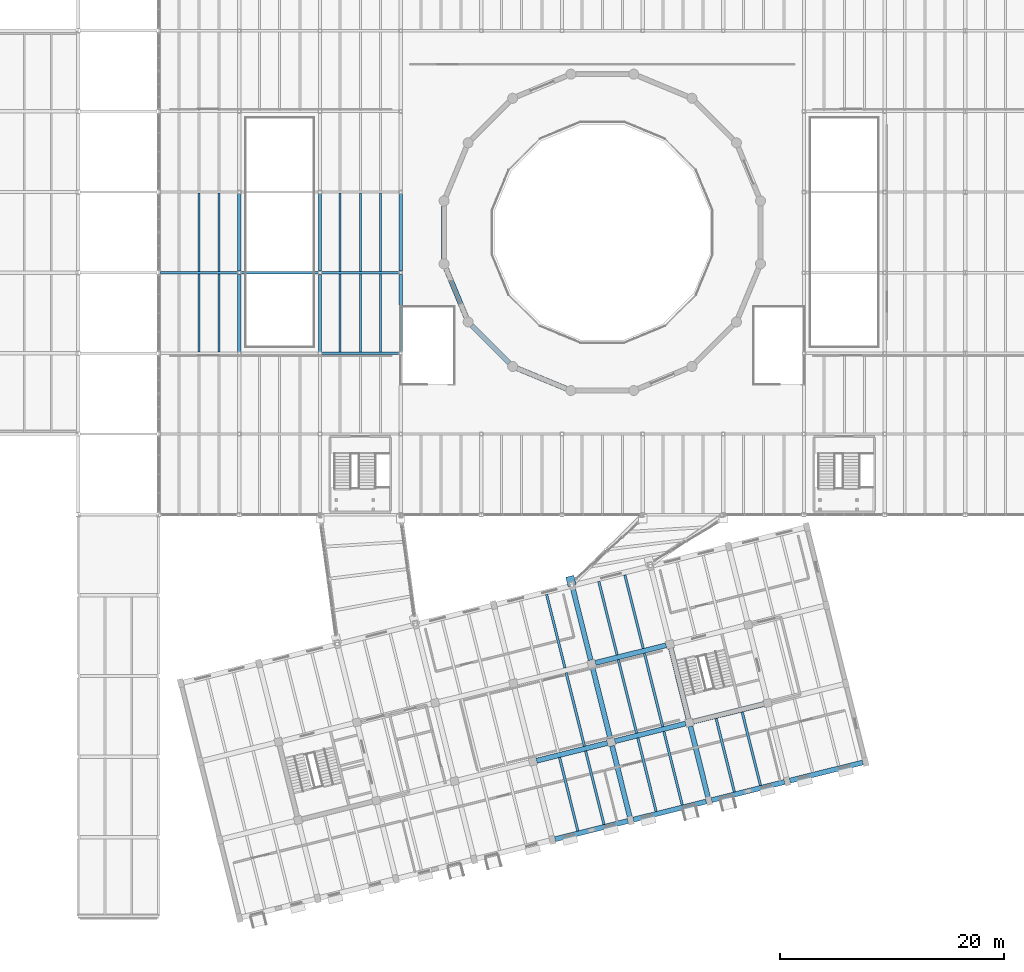
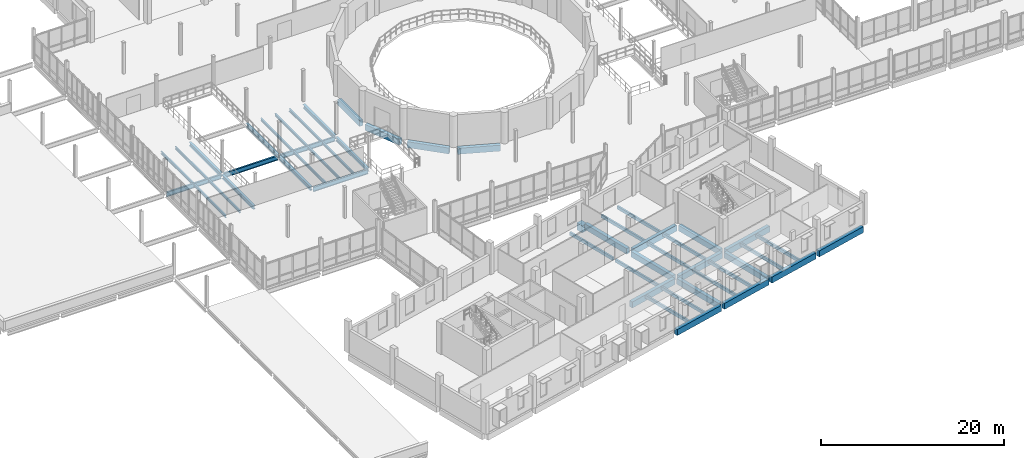
# One storey, part 22 of 72: 50 beams.
"""IFC4 building model written with IfcOpenShell, lengths in metres."""

from ifc_helpers import new_model, si_unit, direction, frame, origin, origin_2d, place, context, subcontext, project, spatial, rectangle, i_section, extrude, material, material_profile, profile_set, type_object, element, save


model = new_model("IFC4")

# Units and contexts
model_context = context("Model", 3, precision=1e-05, world=origin(), true_north=direction((0.0, 1.0)))
body_context = subcontext(model_context, "Body", "Model", "MODEL_VIEW")
ifc_project = project(units=[si_unit("LENGTHUNIT", "METRE"), si_unit("AREAUNIT", "SQUARE_METRE"), si_unit("VOLUMEUNIT", "CUBIC_METRE"), si_unit("PLANEANGLEUNIT", "RADIAN"), si_unit("MASSUNIT", "GRAM", prefix="KILO")], contexts=[model_context])

# Site, building, storey
site_placement = place(None, origin())
site = spatial("IfcSite", under=ifc_project, at=site_placement, CompositionType="ELEMENT")
building_placement = place(site_placement, origin())
building = spatial("IfcBuilding", under=site, at=building_placement, Name="Qiaolan Assembly House", CompositionType="ELEMENT")
storey_placement = place(building_placement, frame((0.0, 0.0, 10.199951171875)))
storey = spatial("IfcBuildingStorey", under=building, at=storey_placement, Name="L02", CompositionType="ELEMENT", Elevation=10.199951171875)

# Beams
ifc_material_1 = material(Name="Concrete C50/60", Category="concrete")
ifc_material_profile_1 = material_profile(ifc_material_1, rectangle(XDim=0.75, YDim=0.949951171875, at=origin_2d()), Name="RCB 750x950")
ifc_profile_set_1 = profile_set([ifc_material_profile_1], Name="Concrete C50/60")
beam_type_1 = type_object("IfcBeamType", Name="BM-CORBEL-750x950", PredefinedType="SPANDREL", material=ifc_profile_set_1)
beam_1_placement = place(storey_placement, frame((65.705078125, 29.66748046875, -1.051025390625), z_axis=(-0.241792305191, 0.970328027602, 0.0), x_axis=(-0.970328027602, -0.241792305191, 0.0)))
element("IfcBeam", 1, at=beam_1_placement, inside=storey, type_object=beam_type_1, Name="CB-01 movement-joint RC corbel EB L02 SE", PredefinedType="SPANDREL", context=body_context, shape_type="SweptSolid", body=[
    extrude(rectangle(XDim=0.75, YDim=0.949951171875, at=origin_2d()), origin(), (0.0, 0.0, 1.0), 0.85009765625),
])
ifc_material_2 = material(Name="Concrete C40/50", Category="concrete")
ifc_material_profile_2 = material_profile(ifc_material_2, rectangle(XDim=0.449951171875, YDim=0.75, at=origin_2d()), Name="RCB 450x750")
ifc_profile_set_2 = profile_set([ifc_material_profile_2], Name="Concrete C40/50")
beam_type_2 = type_object("IfcBeamType", Name="BM-RC-450x750", PredefinedType="BEAM", material=ifc_profile_set_2)
beam_2_placement = place(storey_placement, frame((70.87255859375, 8.942138671875, -0.625), z_axis=(-0.241928153868, 0.970294165893, 0.0), x_axis=(-0.970294165893, -0.241928153868, 0.0)))
element("IfcBeam", 2, at=beam_2_placement, inside=storey, type_object=beam_type_2, Name="GB-04 beam BMV-SE-L02-05-00", PredefinedType="BEAM", context=body_context, shape_type="SweptSolid", body=[
    extrude(rectangle(XDim=0.449951171875, YDim=0.75, at=origin_2d()), origin(), (0.0, 0.0, 1.0), 6.619873046875),
])
beam_3_placement = place(storey_placement, frame((69.1064453125, 16.025146484375, -0.625), z_axis=(-0.241892404898, 0.970303078658, 0.0), x_axis=(-0.970303078658, -0.241892404898, 0.0)))
element("IfcBeam", 3, at=beam_3_placement, inside=storey, type_object=beam_type_2, Name="GB-04 beam BMV-SE-L02-05-01", PredefinedType="BEAM", context=body_context, shape_type="SweptSolid", body=[
    extrude(rectangle(XDim=0.449951171875, YDim=0.75, at=origin_2d()), origin(), (0.0, 0.0, 1.0), 6.52001953125),
])
beam_4_placement = place(storey_placement, frame((67.36474609375, 23.01123046875, -0.625), z_axis=(-0.241919497068, 0.970296324294, 0.0), x_axis=(-0.970296324294, -0.241919497068, 0.0)))
element("IfcBeam", 4, at=beam_4_placement, inside=storey, type_object=beam_type_2, Name="GB-04 beam BMV-SE-L02-05-02", PredefinedType="BEAM", context=body_context, shape_type="SweptSolid", body=[
    extrude(rectangle(XDim=0.449951171875, YDim=0.75, at=origin_2d()), origin(), (0.0, 0.0, 1.0), 6.6201171875),
])
beam_5_placement = place(storey_placement, frame((77.858642578125, 10.683837890625, -0.625), z_axis=(-0.241928153868, 0.970294165893, 0.0), x_axis=(-0.970294165893, -0.241928153868, 0.0)))
element("IfcBeam", 5, at=beam_5_placement, inside=storey, type_object=beam_type_2, Name="GB-04 beam BMV-SE-L02-06-00", PredefinedType="BEAM", context=body_context, shape_type="SweptSolid", body=[
    extrude(rectangle(XDim=0.449951171875, YDim=0.75, at=origin_2d()), origin(), (0.0, 0.0, 1.0), 6.619873046875),
])
beam_6_placement = place(storey_placement, frame((76.0927734375, 17.76708984375, -0.625), z_axis=(-0.241936448129, 0.970292097807, 0.0), x_axis=(-0.970292097807, -0.241936448129, 0.0)))
element("IfcBeam", 6, at=beam_6_placement, inside=storey, type_object=beam_type_2, Name="GB-04 beam BMV-SE-L02-06-01", PredefinedType="BEAM", context=body_context, shape_type="SweptSolid", body=[
    extrude(rectangle(XDim=0.449951171875, YDim=0.75, at=origin_2d()), origin(), (0.0, 0.0, 1.0), 6.519775390625),
])
ifc_material_profile_3 = material_profile(ifc_material_2, rectangle(XDim=0.449951171875, YDim=0.800048828125, at=origin_2d()), Name="RCB 450x800")
ifc_profile_set_3 = profile_set([ifc_material_profile_3], Name="Concrete C40/50")
beam_type_3 = type_object("IfcBeamType", Name="BM-RC-450x800", PredefinedType="BEAM", material=ifc_profile_set_3)
for number, where, z_axis, x_axis, name in (
    (7, (64.177490234375, 7.025390625, -0.64990234375), (0.970294045957, 0.241928634891, 0.0), (-0.241928634891, 0.970294045957, 0.0), "GB-03 beam BMU-SE-L02-04-00"),
    (8, (71.16357421875, 8.767333984375, -0.64990234375), (0.970294045957, 0.241928634891, 0.0), (-0.241928634891, 0.970294045957, 0.0), "GB-03 beam BMU-SE-L02-05-00"),
    (9, (78.149658203125, 10.509033203125, -0.64990234375), (0.970294045957, 0.241928634891, 0.0), (-0.241928634891, 0.970294045957, 0.0), "GB-03 beam BMU-SE-L02-06-00"),
):
    element("IfcBeam", number, at=place(storey_placement, frame(where, z_axis=z_axis, x_axis=x_axis)), inside=storey, type_object=beam_type_3, Name=name, PredefinedType="BEAM", context=body_context, shape_type="SweptSolid", body=[
        extrude(rectangle(XDim=0.449951171875, YDim=0.800048828125, at=origin_2d()), origin(), (0.0, 0.0, 1.0), 6.719970703125),
    ])
beam_7_placement = place(storey_placement, frame((85.1357421875, 12.2509765625, -0.64990234375), z_axis=(0.970296172283, 0.241920106756, 0.0), x_axis=(-0.241920106756, 0.970296172283, 0.0)))
element("IfcBeam", 10, at=beam_7_placement, inside=storey, type_object=beam_type_3, Name="GB-03 beam BMU-SE-L02-07-00", PredefinedType="BEAM", context=body_context, shape_type="SweptSolid", body=[
    extrude(rectangle(XDim=0.449951171875, YDim=0.800048828125, at=origin_2d()), origin(), (0.0, 0.0, 1.0), 6.72021484375),
])
beam_8_placement = place(storey_placement, frame((62.532470703125, 14.03564453125, -0.64990234375), z_axis=(0.970294289504, 0.241927658105, 0.0), x_axis=(-0.241927658105, 0.970294289504, 0.0)))
element("IfcBeam", 11, at=beam_8_placement, inside=storey, type_object=beam_type_3, Name="GB-03 beam BMU-SE-L02-04-01", PredefinedType="BEAM", context=body_context, shape_type="SweptSolid", body=[
    extrude(rectangle(XDim=0.449951171875, YDim=0.800048828125, at=origin_2d()), origin(), (0.0, 0.0, 1.0), 6.52001953125),
])
for number, where, z_axis, x_axis, name in (
    (12, (69.518798828125, 15.777587890625, -0.64990234375), (0.970292097807, 0.241936448129, 0.0), (-0.241936448129, 0.970292097807, 0.0), "GB-03 beam BMU-SE-L02-05-01"),
    (13, (76.5048828125, 17.519287109375, -0.64990234375), (0.970292097807, 0.241936448129, 0.0), (-0.241936448129, 0.970292097807, 0.0), "GB-03 beam BMU-SE-L02-06-01"),
):
    element("IfcBeam", number, at=place(storey_placement, frame(where, z_axis=z_axis, x_axis=x_axis)), inside=storey, type_object=beam_type_3, Name=name, PredefinedType="BEAM", context=body_context, shape_type="SweptSolid", body=[
        extrude(rectangle(XDim=0.449951171875, YDim=0.800048828125, at=origin_2d()), origin(), (0.0, 0.0, 1.0), 6.519775390625),
    ])
beam_9_placement = place(storey_placement, frame((67.77685546875, 22.763671875, -0.64990234375), z_axis=(0.970294289504, 0.241927658105, 0.0), x_axis=(-0.241927658105, 0.970294289504, 0.0)))
element("IfcBeam", 14, at=beam_9_placement, inside=storey, type_object=beam_type_3, Name="GB-03 beam BMU-SE-L02-05-02", PredefinedType="BEAM", context=body_context, shape_type="SweptSolid", body=[
    extrude(rectangle(XDim=0.449951171875, YDim=0.800048828125, at=origin_2d()), origin(), (0.0, 0.0, 1.0), 6.52001953125),
])
beam_10_placement = place(storey_placement, frame((54.276611328125, 63.5693359375, -0.68994140625), z_axis=(0.0, -1.0, 0.0), x_axis=(1.0, 0.0, 0.0)))
element("IfcBeam", 15, at=beam_10_placement, inside=storey, type_object=beam_type_3, Name="GB-03 beam BM-DRUM-L02-07", PredefinedType="BEAM", context=body_context, shape_type="SweptSolid", body=[
    extrude(rectangle(XDim=0.449951171875, YDim=0.800048828125, at=origin_2d()), origin(), (0.0, 0.0, 1.0), 4.738525390625),
])
beam_11_placement = place(storey_placement, frame((54.445068359375, 57.984130859375, -0.68994140625), z_axis=(0.382697610123, -0.923873659764, 0.0), x_axis=(0.923873659764, 0.382697610123, 0.0)))
element("IfcBeam", 16, at=beam_11_placement, inside=storey, type_object=beam_type_3, Name="GB-03 beam BM-DRUM-L02-08", PredefinedType="BEAM", context=body_context, shape_type="SweptSolid", body=[
    extrude(rectangle(XDim=0.449951171875, YDim=0.800048828125, at=origin_2d()), origin(), (0.0, 0.0, 1.0), 4.73876953125),
])
beam_12_placement = place(storey_placement, frame((56.738037109375, 52.888671875, -0.68994140625), z_axis=(0.707106781187, -0.707106781187, 0.0), x_axis=(0.707106781187, 0.707106781187, 0.0)))
element("IfcBeam", 17, at=beam_12_placement, inside=storey, type_object=beam_type_3, Name="GB-03 beam BM-DRUM-L02-09", PredefinedType="BEAM", context=body_context, shape_type="SweptSolid", body=[
    extrude(rectangle(XDim=0.449951171875, YDim=0.800048828125, at=origin_2d()), origin(), (0.0, 0.0, 1.0), 4.738525390625),
])
beam_13_placement = place(storey_placement, frame((60.806396484375, 49.058349609375, -0.68994140625), z_axis=(0.923884330461, -0.382671848884, 0.0), x_axis=(0.382671848884, 0.923884330461, 0.0)))
element("IfcBeam", 18, at=beam_13_placement, inside=storey, type_object=beam_type_3, Name="GB-03 beam BM-DRUM-L02-10", PredefinedType="BEAM", context=body_context, shape_type="SweptSolid", body=[
    extrude(rectangle(XDim=0.449951171875, YDim=0.800048828125, at=origin_2d()), origin(), (0.0, 0.0, 1.0), 4.73828125),
])
ifc_material_3 = material(Name="Steel Q355B", Category="steel")
ifc_material_profile_4 = material_profile(ifc_material_3, i_section(OverallWidth=0.300048828125, OverallDepth=0.5, WebThickness=0.010986328125, FlangeThickness=0.01806640625, FilletRadius=0.02001953125, at=origin_2d()), Name="HM 500x300x11x18")
ifc_profile_set_4 = profile_set([ifc_material_profile_4], Name="Steel Q355B")
beam_type_4 = type_object("IfcBeamType", Name="BM-STL-HM500", PredefinedType="BEAM", material=ifc_profile_set_4)
for number, where, z_axis, x_axis, name in (
    (19, (36.0, 50.5400390625, -0.550048828125), (0.0, 1.0, 0.0), (-1.0, 0.0, 0.0), "SB-15 beam BMY-HL-L02-02-02"),
    (20, (36.0, 57.739990234375, -0.550048828125), (0.0, 1.0, 0.0), (-1.0, 0.0, 0.0), "SB-15 beam BMY-HL-L02-02-03"),
    (21, (43.199951171875, 50.5400390625, -0.550048828125), (0.0, 1.0, 0.0), (-1.0, 0.0, 0.0), "SB-15 beam BMY-HL-L02-03-02"),
    (22, (43.199951171875, 57.739990234375, -0.550048828125), (0.0, 1.0, 0.0), (-1.0, 0.0, 0.0), "SB-15 beam BMY-HL-L02-03-03"),
    (23, (50.39990234375, 50.5400390625, -0.550048828125), (0.0, 1.0, 0.0), (-1.0, 0.0, 0.0), "SB-15 beam BMY-HL-L02-04-02"),
    (24, (50.39990234375, 57.739990234375, -0.550048828125), (0.0, 1.0, 0.0), (-1.0, 0.0, 0.0), "SB-15 beam BMY-HL-L02-04-03"),
):
    element("IfcBeam", number, at=place(storey_placement, frame(where, z_axis=z_axis, x_axis=x_axis)), inside=storey, type_object=beam_type_4, Name=name, PredefinedType="BEAM", context=body_context, shape_type="SweptSolid", body=[
        extrude(i_section(OverallWidth=0.300048828125, OverallDepth=0.5, WebThickness=0.010986328125, FlangeThickness=0.01806640625, FilletRadius=0.02001953125, at=origin_2d()), origin(), (0.0, 0.0, 1.0), 6.919921875),
    ])
ifc_material_profile_5 = material_profile(ifc_material_3, i_section(OverallWidth=0.2099609375, OverallDepth=0.610107421875, WebThickness=0.010986328125, FlangeThickness=0.01806640625, FilletRadius=0.02001953125, at=origin_2d()), Name="HN 610x210x11x18")
ifc_profile_set_5 = profile_set([ifc_material_profile_5], Name="Steel Q355B")
beam_type_5 = type_object("IfcBeamType", Name="BM-STL-HN610", PredefinedType="BEAM", material=ifc_profile_set_5)
beam_14_placement = place(storey_placement, frame((43.340087890625, 50.39990234375, -0.60498046875), z_axis=(1.0, 0.0, 0.0), x_axis=(0.0, 1.0, 0.0)))
element("IfcBeam", 25, at=beam_14_placement, inside=storey, type_object=beam_type_5, Name="SB-11 beam BMX-HL-L02-03-02", PredefinedType="BEAM", context=body_context, shape_type="SweptSolid", body=[
    extrude(i_section(OverallWidth=0.2099609375, OverallDepth=0.610107421875, WebThickness=0.010986328125, FlangeThickness=0.01806640625, FilletRadius=0.02001953125, at=origin_2d()), origin(), (0.0, 0.0, 1.0), 6.919921875),
])
beam_15_placement = place(storey_placement, frame((28.965087890625, 57.60009765625, -0.60498046875), z_axis=(1.0, 0.0, 0.0), x_axis=(0.0, 1.0, 0.0)))
element("IfcBeam", 26, at=beam_15_placement, inside=storey, type_object=beam_type_5, Name="SB-11 beam BMX-HL-L02-01-03", PredefinedType="BEAM", context=body_context, shape_type="SweptSolid", body=[
    extrude(i_section(OverallWidth=0.2099609375, OverallDepth=0.610107421875, WebThickness=0.010986328125, FlangeThickness=0.01806640625, FilletRadius=0.02001953125, at=origin_2d()), origin(), (0.0, 0.0, 1.0), 6.89501953125),
])
beam_16_placement = place(storey_placement, frame((36.139892578125, 57.60009765625, -0.60498046875), z_axis=(1.0, 0.0, 0.0), x_axis=(0.0, 1.0, 0.0)))
element("IfcBeam", 27, at=beam_16_placement, inside=storey, type_object=beam_type_5, Name="SB-11 beam BMX-HL-L02-02-03", PredefinedType="BEAM", context=body_context, shape_type="SweptSolid", body=[
    extrude(i_section(OverallWidth=0.2099609375, OverallDepth=0.610107421875, WebThickness=0.010986328125, FlangeThickness=0.01806640625, FilletRadius=0.02001953125, at=origin_2d()), origin(), (0.0, 0.0, 1.0), 6.920166015625),
])
beam_17_placement = place(storey_placement, frame((43.340087890625, 57.60009765625, -0.60498046875), z_axis=(1.0, 0.0, 0.0), x_axis=(0.0, 1.0, 0.0)))
element("IfcBeam", 28, at=beam_17_placement, inside=storey, type_object=beam_type_5, Name="SB-11 beam BMX-HL-L02-03-03", PredefinedType="BEAM", context=body_context, shape_type="SweptSolid", body=[
    extrude(i_section(OverallWidth=0.2099609375, OverallDepth=0.610107421875, WebThickness=0.010986328125, FlangeThickness=0.01806640625, FilletRadius=0.02001953125, at=origin_2d()), origin(), (0.0, 0.0, 1.0), 6.919921875),
])
ifc_material_profile_6 = material_profile(ifc_material_2, rectangle(XDim=0.219970703125, YDim=0.419921875, at=origin_2d()), Name="RCB 220x420")
ifc_profile_set_6 = profile_set([ifc_material_profile_6], Name="Concrete C40/50")
beam_type_6 = type_object("IfcBeamType", Name="JST-RC-220x420", PredefinedType="JOIST", material=ifc_profile_set_6)
for number, where, z_axis, x_axis, name in (
    (29, (66.22021484375, 7.760498046875, -0.4599609375), (-0.241906913479, 0.970299461615, 0.0), (-0.970299461615, -0.241906913479, 0.0), "RJ-03 beam JST-SE-L02-04-00-1"),
    (30, (68.549072265625, 8.341064453125, -0.4599609375), (-0.241940905686, 0.970290986331, 0.0), (-0.970290986331, -0.241940905686, 0.0), "RJ-03 beam JST-SE-L02-04-00-2"),
):
    element("IfcBeam", number, at=place(storey_placement, frame(where, z_axis=z_axis, x_axis=x_axis)), inside=storey, type_object=beam_type_6, Name=name, PredefinedType="JOIST", context=body_context, shape_type="SweptSolid", body=[
        extrude(rectangle(XDim=0.219970703125, YDim=0.419921875, at=origin_2d()), origin(), (0.0, 0.0, 1.0), 6.761962890625),
    ])
for number, where, z_axis, x_axis, name in (
    (31, (66.80712890625, 15.3271484375, -0.4599609375), (-0.241932430168, 0.970293099652, 0.0), (-0.970293099652, -0.241932430168, 0.0), "RJ-03 beam JST-SE-L02-04-01-2"),
    (32, (65.065185546875, 22.313232421875, -0.4599609375), (-0.241898439004, 0.970301574361, 0.0), (-0.970301574361, -0.241898439004, 0.0), "RJ-03 beam JST-SE-L02-04-02-2"),
    (33, (73.206298828125, 9.502197265625, -0.4599609375), (-0.241898439004, 0.970301574361, 0.0), (-0.970301574361, -0.241898439004, 0.0), "RJ-03 beam JST-SE-L02-05-00-1"),
):
    element("IfcBeam", number, at=place(storey_placement, frame(where, z_axis=z_axis, x_axis=x_axis)), inside=storey, type_object=beam_type_6, Name=name, PredefinedType="JOIST", context=body_context, shape_type="SweptSolid", body=[
        extrude(rectangle(XDim=0.219970703125, YDim=0.419921875, at=origin_2d()), origin(), (0.0, 0.0, 1.0), 6.76220703125),
    ])
for number, where, z_axis, x_axis, name in (
    (34, (75.53515625, 10.0830078125, -0.4599609375), (-0.241940905686, 0.970290986331, 0.0), (-0.970290986331, -0.241940905686, 0.0), "RJ-03 beam JST-SE-L02-05-00-2"),
    (35, (71.464599609375, 16.488525390625, -0.4599609375), (-0.241940905686, 0.970290986331, 0.0), (-0.970290986331, -0.241940905686, 0.0), "RJ-03 beam JST-SE-L02-05-01-1"),
    (36, (73.793212890625, 17.069091796875, -0.4599609375), (-0.241906913479, 0.970299461615, 0.0), (-0.970299461615, -0.241906913479, 0.0), "RJ-03 beam JST-SE-L02-05-01-2"),
    (37, (69.72265625, 23.474609375, -0.4599609375), (-0.241906913479, 0.970299461615, 0.0), (-0.970299461615, -0.241906913479, 0.0), "RJ-03 beam JST-SE-L02-05-02-1"),
    (38, (72.051513671875, 24.05517578125, -0.4599609375), (-0.241940905686, 0.970290986331, 0.0), (-0.970290986331, -0.241940905686, 0.0), "RJ-03 beam JST-SE-L02-05-02-2"),
    (39, (80.1923828125, 11.244140625, -0.4599609375), (-0.241906913479, 0.970299461615, 0.0), (-0.970299461615, -0.241906913479, 0.0), "RJ-03 beam JST-SE-L02-06-00-1"),
):
    element("IfcBeam", number, at=place(storey_placement, frame(where, z_axis=z_axis, x_axis=x_axis)), inside=storey, type_object=beam_type_6, Name=name, PredefinedType="JOIST", context=body_context, shape_type="SweptSolid", body=[
        extrude(rectangle(XDim=0.219970703125, YDim=0.419921875, at=origin_2d()), origin(), (0.0, 0.0, 1.0), 6.761962890625),
    ])
beam_18_placement = place(storey_placement, frame((82.521240234375, 11.82470703125, -0.4599609375), z_axis=(-0.241932430168, 0.970293099652, 0.0), x_axis=(-0.970293099652, -0.241932430168, 0.0)))
element("IfcBeam", 40, at=beam_18_placement, inside=storey, type_object=beam_type_6, Name="RJ-03 beam JST-SE-L02-06-00-2", PredefinedType="JOIST", context=body_context, shape_type="SweptSolid", body=[
    extrude(rectangle(XDim=0.219970703125, YDim=0.419921875, at=origin_2d()), origin(), (0.0, 0.0, 1.0), 6.76220703125),
])
ifc_material_profile_7 = material_profile(ifc_material_3, i_section(OverallWidth=0.179931640625, OverallDepth=0.35498046875, WebThickness=0.007568359375, FlangeThickness=0.011474609375, FilletRadius=0.013916015625, at=origin_2d()), Name="HM 355x180x7.5x11.5")
ifc_profile_set_7 = profile_set([ifc_material_profile_7], Name="Steel Q355B")
beam_type_7 = type_object("IfcBeamType", Name="JST-STL-HM355", PredefinedType="JOIST", material=ifc_profile_set_7)
for number, where, z_axis, x_axis, name in (
    (41, (32.39990234375, 50.4990234375, -0.4775390625), (0.0, 1.0, 0.0), (-1.0, 0.0, 0.0), "SJ-04 beam JST-HL-L02-01-02-2"),
    (42, (34.199951171875, 50.4990234375, -0.4775390625), (0.0, 1.0, 0.0), (-1.0, 0.0, 0.0), "SJ-04 beam JST-HL-L02-01-02-3"),
    (43, (32.39990234375, 57.698974609375, -0.4775390625), (0.0, 1.0, 0.0), (-1.0, 0.0, 0.0), "SJ-04 beam JST-HL-L02-01-03-2"),
    (44, (34.199951171875, 57.698974609375, -0.4775390625), (0.0, 1.0, 0.0), (-1.0, 0.0, 0.0), "SJ-04 beam JST-HL-L02-01-03-3"),
    (45, (45.0, 50.4990234375, -0.4775390625), (0.0, 1.0, 0.0), (-1.0, 0.0, 0.0), "SJ-04 beam JST-HL-L02-03-02-1"),
    (46, (46.800048828125, 50.4990234375, -0.4775390625), (0.0, 1.0, 0.0), (-1.0, 0.0, 0.0), "SJ-04 beam JST-HL-L02-03-02-2"),
    (47, (48.60009765625, 50.4990234375, -0.4775390625), (0.0, 1.0, 0.0), (-1.0, 0.0, 0.0), "SJ-04 beam JST-HL-L02-03-02-3"),
    (48, (45.0, 57.698974609375, -0.4775390625), (0.0, 1.0, 0.0), (-1.0, 0.0, 0.0), "SJ-04 beam JST-HL-L02-03-03-1"),
    (49, (46.800048828125, 57.698974609375, -0.4775390625), (0.0, 1.0, 0.0), (-1.0, 0.0, 0.0), "SJ-04 beam JST-HL-L02-03-03-2"),
    (50, (48.60009765625, 57.698974609375, -0.4775390625), (0.0, 1.0, 0.0), (-1.0, 0.0, 0.0), "SJ-04 beam JST-HL-L02-03-03-3"),
):
    element("IfcBeam", number, at=place(storey_placement, frame(where, z_axis=z_axis, x_axis=x_axis)), inside=storey, type_object=beam_type_7, Name=name, PredefinedType="JOIST", context=body_context, shape_type="SweptSolid", body=[
        extrude(i_section(OverallWidth=0.179931640625, OverallDepth=0.35498046875, WebThickness=0.007568359375, FlangeThickness=0.011474609375, FilletRadius=0.013916015625, at=origin_2d()), origin(), (0.0, 0.0, 1.0), 7.001953125),
    ])

save(model, "model.ifc")
